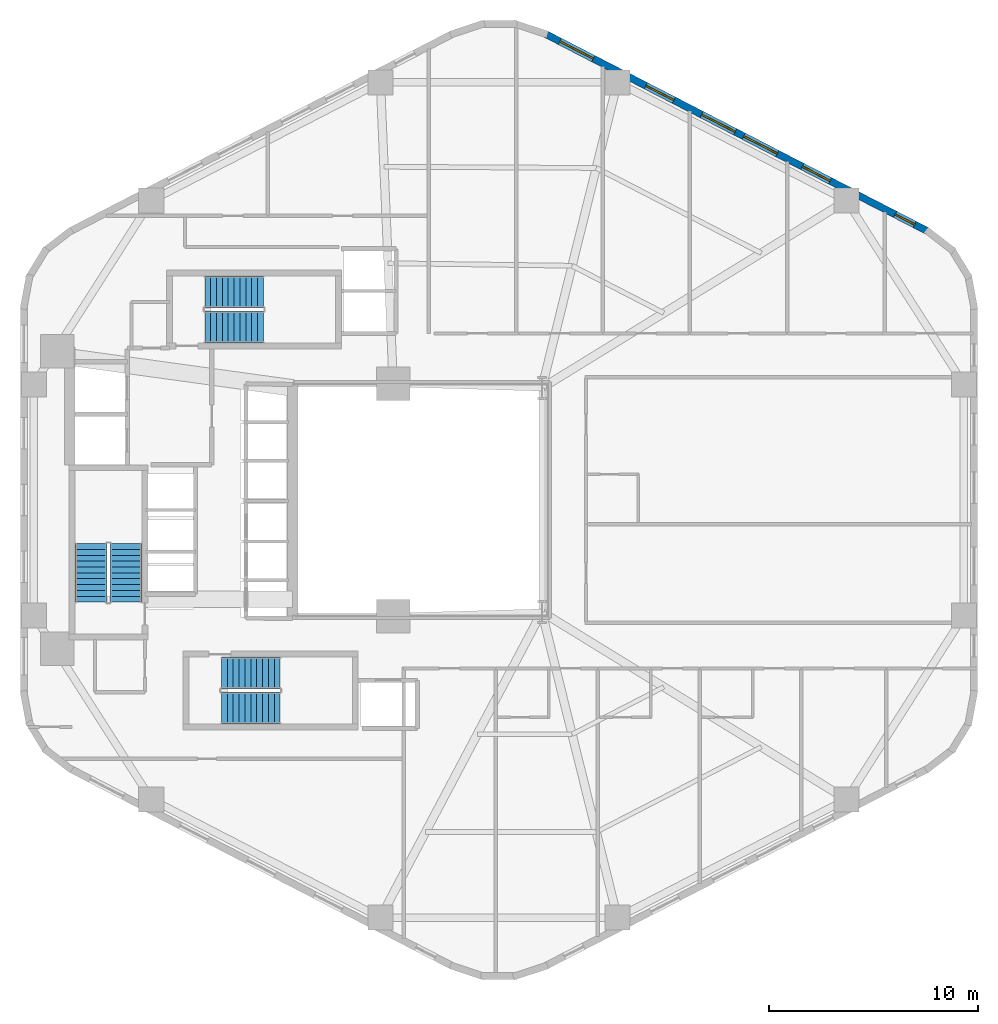
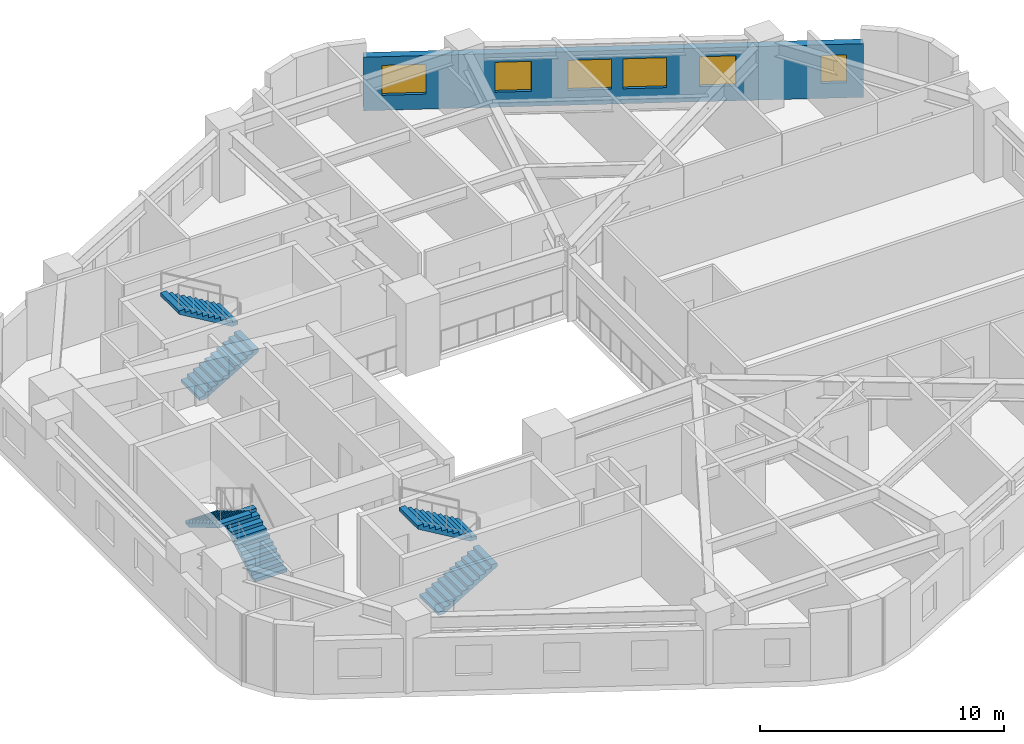
# One storey, part 6 of 7: 6 stair flights, 6 windows, 1 wall, 6 openings, 3 elements without a shape of their own.
"""IFC4 building model written with IfcOpenShell, lengths in metres."""

from ifc_helpers import new_model, si_unit, direction, frame, frame_2d, origin, place, context, subcontext, project, spatial, polyline, rectangle, outline, extrude, material, layer, layer_set, type_object, element, fill, aggregate, save


model = new_model("IFC4")

# Units and contexts
model_context = context("Model", 3, precision=1e-05, world=origin(), true_north=direction((0.0, 1.0)))
body_context = subcontext(model_context, "Body", "Model", "MODEL_VIEW")
ifc_project = project(units=[si_unit("LENGTHUNIT", "METRE"), si_unit("AREAUNIT", "SQUARE_METRE"), si_unit("VOLUMEUNIT", "CUBIC_METRE"), si_unit("PLANEANGLEUNIT", "RADIAN"), si_unit("MASSUNIT", "GRAM", prefix="KILO"), si_unit("THERMODYNAMICTEMPERATUREUNIT", "KELVIN"), si_unit("POWERUNIT", "WATT")], contexts=[model_context])

# Site, building, storey
site_placement = place(None, origin())
site = spatial("IfcSite", under=ifc_project, at=site_placement, CompositionType="ELEMENT")
building_placement = place(site_placement, origin())
building = spatial("IfcBuilding", under=site, at=building_placement, Name="Skarre Station Tower", CompositionType="ELEMENT")
storey_placement = place(building_placement, frame((0.0, 0.0, 74.449951171875)))
storey = spatial("IfcBuildingStorey", under=building, at=storey_placement, Name="L19", CompositionType="ELEMENT", Elevation=74.449951171875)

# Wall, openings, windows
ifc_material_1 = material(Name="Precast concrete C45/55", Category="concrete")
ifc_layer = layer(ifc_material_1, 0.340087890625, Name="Precast concrete C45/55")
ifc_layer_set = layer_set([ifc_layer], Name="Precast concrete C45/55")
wall_type = type_object("IfcWallType", Name="Nordic Honed Precast Facet Wall 340", PredefinedType="STANDARD", material=ifc_layer_set)
wall_placement = place(storey_placement, frame((39.631103515625, 46.257080078125, 0.0), z_axis=(0.0, 0.0, 1.0), x_axis=(0.888634413993, -0.458616264721, 0.0)))
wall = element("IfcWall", 1, at=wall_placement, inside=storey, type_object=wall_type, Name="L19 Facet 0 Nordic Precast Masonry Wall", PredefinedType="STANDARD", context=body_context, shape_type="SweptSolid", body=[
    extrude(rectangle(XDim=20.53125, YDim=0.340087890625, at=frame_2d((10.265625, 0.0))), origin(), (0.0, 0.0, 1.0), 2.68408203125),
])
opening_1_placement = place(wall_placement, frame((0.761962890625, 0.0, 0.75)))
opening_1 = element("IfcOpeningElement", 2, at=opening_1_placement, cuts=wall, Name="Opening WN-Z1A", PredefinedType="OPENING", context=body_context, shape_type="SweptSolid", body=[
    extrude(rectangle(XDim=1.800048828125, YDim=1.5, at=frame_2d((0.89990234375, 0.75))), frame((0.0, 0.179931640625, 0.0), z_axis=(0.0, -1.0, 0.0), x_axis=(1.0, 0.0, 0.0)), (0.0, 0.0, 1.0), 0.360107421875),
])
opening_2_placement = place(wall_placement, frame((5.389892578125, 0.0, 0.75)))
opening_2 = element("IfcOpeningElement", 3, at=opening_2_placement, cuts=wall, Name="Opening WN-Z1B", PredefinedType="OPENING", context=body_context, shape_type="SweptSolid", body=[
    extrude(rectangle(XDim=1.5, YDim=1.5, at=frame_2d((0.75, 0.75))), frame((0.0, 0.179931640625, 0.0), z_axis=(0.0, -1.0, 0.0), x_axis=(1.0, 0.0, 0.0)), (0.0, 0.0, 1.0), 0.360107421875),
])
opening_3_placement = place(wall_placement, frame((8.387939453125, 0.0, 0.75)))
opening_3 = element("IfcOpeningElement", 4, at=opening_3_placement, cuts=wall, Name="Opening WN-Z1A", PredefinedType="OPENING", context=body_context, shape_type="SweptSolid", body=[
    extrude(rectangle(XDim=1.800048828125, YDim=1.5, at=frame_2d((0.89990234375, 0.75))), frame((0.0, 0.179931640625, 0.0), z_axis=(0.0, -1.0, 0.0), x_axis=(1.0, 0.0, 0.0)), (0.0, 0.0, 1.0), 0.360107421875),
])
opening_4_placement = place(wall_placement, frame((10.64697265625, 0.0, 0.75)))
opening_4 = element("IfcOpeningElement", 5, at=opening_4_placement, cuts=wall, Name="Opening WN-Z1A", PredefinedType="OPENING", context=body_context, shape_type="SweptSolid", body=[
    extrude(rectangle(XDim=1.800048828125, YDim=1.5, at=frame_2d((0.89990234375, 0.75))), frame((0.0, 0.179931640625, 0.0), z_axis=(0.0, -1.0, 0.0), x_axis=(1.0, 0.0, 0.0)), (0.0, 0.0, 1.0), 0.360107421875),
])
opening_5_placement = place(wall_placement, frame((13.79296875, 0.0, 0.75)))
opening_5 = element("IfcOpeningElement", 6, at=opening_5_placement, cuts=wall, Name="Opening WN-Z1B", PredefinedType="OPENING", context=body_context, shape_type="SweptSolid", body=[
    extrude(rectangle(XDim=1.5, YDim=1.5, at=frame_2d((0.75, 0.75))), frame((0.0, 0.179931640625, 0.0), z_axis=(0.0, -1.0, 0.0), x_axis=(1.0, 0.0, 0.0)), (0.0, 0.0, 1.0), 0.360107421875),
])
opening_6_placement = place(wall_placement, frame((18.7880859375, 0.0, 0.75)))
opening_6 = element("IfcOpeningElement", 7, at=opening_6_placement, cuts=wall, Name="Opening WN-SLT", PredefinedType="OPENING", context=body_context, shape_type="SweptSolid", body=[
    extrude(rectangle(XDim=1.050048828125, YDim=1.39990234375, at=frame_2d((0.52490234375, 0.699951171875))), frame((0.0, 0.179931640625, 0.0), z_axis=(0.0, -1.0, 0.0), x_axis=(1.0, 0.0, 0.0)), (0.0, 0.0, 1.0), 0.360107421875),
])
ifc_material_2 = material(Name="Low-Iron Triple Glazing with Bronze Anodized Frame", Category="glass")
window_type_1 = type_object("IfcWindowType", Name="Nordic Corner Slot Window 1050x1400", PartitioningType="SINGLE_PANEL", PredefinedType="WINDOW", material=ifc_material_2)
window_1_placement = place(opening_6_placement, origin())
window_1 = element("IfcWindow", 8, at=window_1_placement, inside=storey, type_object=window_type_1, Name="L19 Facade Window WL-FAC-L19-F0-6", OverallHeight=1.39990234375, OverallWidth=1.050048828125, PartitioningType="SINGLE_PANEL", PredefinedType="WINDOW", context=body_context, shape_type="SweptSolid", body=[
    extrude(rectangle(XDim=1.050048828125, YDim=1.39990234375, at=frame_2d((0.52490234375, 0.699951171875))), frame((0.0, 0.030029296875, 0.0), z_axis=(0.0, -1.0, 0.0), x_axis=(1.0, 0.0, 0.0)), (0.0, 0.0, 1.0), 0.06005859375),
])
fill(opening_6, window_1)
window_type_2 = type_object("IfcWindowType", Name="Nordic Punched Triple-Glazed Window 1500x1500", PartitioningType="SINGLE_PANEL", PredefinedType="WINDOW", material=ifc_material_2)
window_2_placement = place(opening_2_placement, origin())
window_2 = element("IfcWindow", 9, at=window_2_placement, inside=storey, type_object=window_type_2, Name="L19 Facade Window WL-FAC-L19-F0-2", OverallHeight=1.5, OverallWidth=1.5, PartitioningType="SINGLE_PANEL", PredefinedType="WINDOW", context=body_context, shape_type="SweptSolid", body=[
    extrude(rectangle(XDim=1.5, YDim=1.5, at=frame_2d((0.75, 0.75))), frame((0.0, 0.030029296875, 0.0), z_axis=(0.0, -1.0, 0.0), x_axis=(1.0, 0.0, 0.0)), (0.0, 0.0, 1.0), 0.06005859375),
])
fill(opening_2, window_2)
window_3_placement = place(opening_5_placement, origin())
window_3 = element("IfcWindow", 10, at=window_3_placement, inside=storey, type_object=window_type_2, Name="L19 Facade Window WL-FAC-L19-F0-5", OverallHeight=1.5, OverallWidth=1.5, PartitioningType="SINGLE_PANEL", PredefinedType="WINDOW", context=body_context, shape_type="SweptSolid", body=[
    extrude(rectangle(XDim=1.5, YDim=1.5, at=frame_2d((0.75, 0.75))), frame((0.0, 0.030029296875, 0.0), z_axis=(0.0, -1.0, 0.0), x_axis=(1.0, 0.0, 0.0)), (0.0, 0.0, 1.0), 0.06005859375),
])
fill(opening_5, window_3)
window_type_3 = type_object("IfcWindowType", Name="Nordic Punched Triple-Glazed Window 1800x1500", PartitioningType="SINGLE_PANEL", PredefinedType="WINDOW", material=ifc_material_2)
window_4_placement = place(opening_1_placement, origin())
window_4 = element("IfcWindow", 11, at=window_4_placement, inside=storey, type_object=window_type_3, Name="L19 Facade Window WL-FAC-L19-F0-1", OverallHeight=1.5, OverallWidth=1.800048828125, PartitioningType="SINGLE_PANEL", PredefinedType="WINDOW", context=body_context, shape_type="SweptSolid", body=[
    extrude(rectangle(XDim=1.800048828125, YDim=1.5, at=frame_2d((0.89990234375, 0.75))), frame((0.0, 0.030029296875, 0.0), z_axis=(0.0, -1.0, 0.0), x_axis=(1.0, 0.0, 0.0)), (0.0, 0.0, 1.0), 0.06005859375),
])
fill(opening_1, window_4)
window_5_placement = place(opening_3_placement, origin())
window_5 = element("IfcWindow", 12, at=window_5_placement, inside=storey, type_object=window_type_3, Name="L19 Facade Window WL-FAC-L19-F0-3", OverallHeight=1.5, OverallWidth=1.800048828125, PartitioningType="SINGLE_PANEL", PredefinedType="WINDOW", context=body_context, shape_type="SweptSolid", body=[
    extrude(rectangle(XDim=1.800048828125, YDim=1.5, at=frame_2d((0.89990234375, 0.75))), frame((0.0, 0.030029296875, 0.0), z_axis=(0.0, -1.0, 0.0), x_axis=(1.0, 0.0, 0.0)), (0.0, 0.0, 1.0), 0.06005859375),
])
fill(opening_3, window_5)
window_6_placement = place(opening_4_placement, origin())
window_6 = element("IfcWindow", 13, at=window_6_placement, inside=storey, type_object=window_type_3, Name="L19 Facade Window WL-FAC-L19-F0-4", OverallHeight=1.5, OverallWidth=1.800048828125, PartitioningType="SINGLE_PANEL", PredefinedType="WINDOW", context=body_context, shape_type="SweptSolid", body=[
    extrude(rectangle(XDim=1.800048828125, YDim=1.5, at=frame_2d((0.89990234375, 0.75))), frame((0.0, 0.030029296875, 0.0), z_axis=(0.0, -1.0, 0.0), x_axis=(1.0, 0.0, 0.0)), (0.0, 0.0, 1.0), 0.06005859375),
])
fill(opening_4, window_6)

# Stair, stair flights
ifc_material_3 = material(Name="Concrete C40/50", Category="concrete")
stair_type_1 = type_object("IfcStairType", Name="Reinforced Concrete Exit Stair ST-1", PredefinedType="HALF_TURN_STAIR", material=ifc_material_3)
stair_1_placement = place(storey_placement, origin())
stair_1 = element("IfcStair", 14, at=stair_1_placement, inside=storey, type_object=stair_type_1, Name="L19 Core Exit Stair ST-1", PredefinedType="HALF_TURN_STAIR")
stair_flight_type_1 = type_object("IfcStairFlightType", Name="Reinforced Concrete Stair Flight ST-1", PredefinedType="STRAIGHT", material=ifc_material_3)
stair_flight_1_placement = place(storey_placement, frame((19.590087890625, 19.1201171875, 0.0), z_axis=(0.0, 0.0, 1.0), x_axis=(0.0, 1.0, 0.0)))
stair_flight_1 = element("IfcStairFlight", 15, at=stair_flight_1_placement, type_object=stair_flight_type_1, Name="ST-1 flight 1", NumberOfRisers=11, NumberOfTreads=10, PredefinedType="STRAIGHT", RiserHeight=0.165909091, TreadLength=0.28, context=body_context, shape_type="SweptSolid", body=[
    extrude(outline(polyline([(0.0, 0.0), (0.0, 0.166015625), (0.280029296875, 0.166015625), (0.280029296875, 0.331787109375), (0.56005859375, 0.331787109375), (0.56005859375, 0.497802734375), (0.840087890625, 0.497802734375), (0.840087890625, 0.66357421875), (1.1201171875, 0.66357421875), (1.1201171875, 0.82958984375), (1.39990234375, 0.82958984375), (1.39990234375, 0.995361328125), (1.679931640625, 0.995361328125), (1.679931640625, 1.161376953125), (1.9599609375, 1.161376953125), (1.9599609375, 1.327392578125), (2.239990234375, 1.327392578125), (2.239990234375, 1.4931640625), (2.52001953125, 1.4931640625), (2.52001953125, 1.6591796875), (2.800048828125, 1.6591796875), (2.800048828125, 1.824951171875), (2.800048828125, 1.48486328125), (0.2939453125, 0.0), (0.0, 0.0)])), frame((0.0, 0.760009765625, 0.0), z_axis=(0.0, -1.0, 0.0), x_axis=(1.0, 0.0, 0.0)), (0.0, 0.0, 1.0), 1.52001953125),
])
stair_flight_2_placement = place(storey_placement, frame((17.909912109375, 21.919921875, 1.824951171875), z_axis=(0.0, 0.0, 1.0), x_axis=(0.0, -1.0, 0.0)))
stair_flight_2 = element("IfcStairFlight", 16, at=stair_flight_2_placement, type_object=stair_flight_type_1, Name="ST-1 flight 2", NumberOfRisers=11, NumberOfTreads=10, PredefinedType="STRAIGHT", RiserHeight=0.165909091, TreadLength=0.28, context=body_context, shape_type="SweptSolid", body=[
    extrude(outline(polyline([(0.0, 0.0), (0.0, 0.166015625), (0.280029296875, 0.166015625), (0.280029296875, 0.331787109375), (0.56005859375, 0.331787109375), (0.56005859375, 0.497802734375), (0.840087890625, 0.497802734375), (0.840087890625, 0.66357421875), (1.1201171875, 0.66357421875), (1.1201171875, 0.82958984375), (1.39990234375, 0.82958984375), (1.39990234375, 0.995361328125), (1.679931640625, 0.995361328125), (1.679931640625, 1.161376953125), (1.9599609375, 1.161376953125), (1.9599609375, 1.327392578125), (2.239990234375, 1.327392578125), (2.239990234375, 1.4931640625), (2.52001953125, 1.4931640625), (2.52001953125, 1.6591796875), (2.800048828125, 1.6591796875), (2.800048828125, 1.824951171875), (2.800048828125, 1.48486328125), (0.2939453125, 0.0), (0.0, 0.0)])), frame((0.0, 0.760009765625, 0.0), z_axis=(0.0, -1.0, 0.0), x_axis=(1.0, 0.0, 0.0)), (0.0, 0.0, 1.0), 1.52001953125),
])
aggregate(stair_1, [stair_flight_1, stair_flight_2])

stair_type_2 = type_object("IfcStairType", Name="Reinforced Concrete Exit Stair ST-2", PredefinedType="HALF_TURN_STAIR", material=ifc_material_3)
stair_2_placement = place(storey_placement, origin())
stair_2 = element("IfcStair", 17, at=stair_2_placement, inside=storey, type_object=stair_type_2, Name="L19 Core Exit Stair ST-2", PredefinedType="HALF_TURN_STAIR")
stair_flight_type_2 = type_object("IfcStairFlightType", Name="Reinforced Concrete Stair Flight ST-2", PredefinedType="STRAIGHT", material=ifc_material_3)
stair_flight_3_placement = place(storey_placement, frame((24.14990234375, 14.06005859375, 0.0), z_axis=(0.0, 0.0, 1.0), x_axis=(1.0, 0.0, 0.0)))
stair_flight_3 = element("IfcStairFlight", 18, at=stair_flight_3_placement, type_object=stair_flight_type_2, Name="ST-2 flight 1", NumberOfRisers=11, NumberOfTreads=10, PredefinedType="STRAIGHT", RiserHeight=0.165909091, TreadLength=0.28, context=body_context, shape_type="SweptSolid", body=[
    extrude(outline(polyline([(0.0, 0.0), (0.0, 0.166015625), (0.280029296875, 0.166015625), (0.280029296875, 0.331787109375), (0.56005859375, 0.331787109375), (0.56005859375, 0.497802734375), (0.840087890625, 0.497802734375), (0.840087890625, 0.66357421875), (1.1201171875, 0.66357421875), (1.1201171875, 0.82958984375), (1.39990234375, 0.82958984375), (1.39990234375, 0.995361328125), (1.679931640625, 0.995361328125), (1.679931640625, 1.161376953125), (1.9599609375, 1.161376953125), (1.9599609375, 1.327392578125), (2.239990234375, 1.327392578125), (2.239990234375, 1.4931640625), (2.52001953125, 1.4931640625), (2.52001953125, 1.6591796875), (2.800048828125, 1.6591796875), (2.800048828125, 1.824951171875), (2.800048828125, 1.48486328125), (0.2939453125, 0.0), (0.0, 0.0)])), frame((0.0, 0.760009765625, 0.0), z_axis=(0.0, -1.0, 0.0), x_axis=(1.0, 0.0, 0.0)), (0.0, 0.0, 1.0), 1.52001953125),
])
stair_flight_4_placement = place(storey_placement, frame((26.949951171875, 15.739990234375, 1.824951171875), z_axis=(0.0, 0.0, 1.0), x_axis=(-1.0, 0.0, 0.0)))
stair_flight_4 = element("IfcStairFlight", 19, at=stair_flight_4_placement, type_object=stair_flight_type_2, Name="ST-2 flight 2", NumberOfRisers=11, NumberOfTreads=10, PredefinedType="STRAIGHT", RiserHeight=0.165909091, TreadLength=0.28, context=body_context, shape_type="SweptSolid", body=[
    extrude(outline(polyline([(0.0, 0.0), (0.0, 0.166015625), (0.280029296875, 0.166015625), (0.280029296875, 0.331787109375), (0.56005859375, 0.331787109375), (0.56005859375, 0.497802734375), (0.840087890625, 0.497802734375), (0.840087890625, 0.66357421875), (1.1201171875, 0.66357421875), (1.1201171875, 0.82958984375), (1.39990234375, 0.82958984375), (1.39990234375, 0.995361328125), (1.679931640625, 0.995361328125), (1.679931640625, 1.161376953125), (1.9599609375, 1.161376953125), (1.9599609375, 1.327392578125), (2.239990234375, 1.327392578125), (2.239990234375, 1.4931640625), (2.52001953125, 1.4931640625), (2.52001953125, 1.6591796875), (2.800048828125, 1.6591796875), (2.800048828125, 1.824951171875), (2.800048828125, 1.48486328125), (0.2939453125, 0.0), (0.0, 0.0)])), frame((0.0, 0.760009765625, 0.0), z_axis=(0.0, -1.0, 0.0), x_axis=(1.0, 0.0, 0.0)), (0.0, 0.0, 1.0), 1.52001953125),
])
aggregate(stair_2, [stair_flight_3, stair_flight_4])

stair_type_3 = type_object("IfcStairType", Name="Reinforced Concrete Exit Stair ST-3", PredefinedType="HALF_TURN_STAIR", material=ifc_material_3)
stair_3_placement = place(storey_placement, origin())
stair_3 = element("IfcStair", 20, at=stair_3_placement, inside=storey, type_object=stair_type_3, Name="L19 Core Exit Stair ST-3", PredefinedType="HALF_TURN_STAIR")
stair_flight_type_3 = type_object("IfcStairFlightType", Name="Reinforced Concrete Stair Flight ST-3", PredefinedType="STRAIGHT", material=ifc_material_3)
stair_flight_5_placement = place(storey_placement, frame((23.35009765625, 32.260009765625, 0.0), z_axis=(0.0, 0.0, 1.0), x_axis=(1.0, 0.0, 0.0)))
stair_flight_5 = element("IfcStairFlight", 21, at=stair_flight_5_placement, type_object=stair_flight_type_3, Name="ST-3 flight 1", NumberOfRisers=11, NumberOfTreads=10, PredefinedType="STRAIGHT", RiserHeight=0.165909091, TreadLength=0.28, context=body_context, shape_type="SweptSolid", body=[
    extrude(outline(polyline([(0.0, 0.0), (0.0, 0.166015625), (0.280029296875, 0.166015625), (0.280029296875, 0.331787109375), (0.56005859375, 0.331787109375), (0.56005859375, 0.497802734375), (0.840087890625, 0.497802734375), (0.840087890625, 0.66357421875), (1.1201171875, 0.66357421875), (1.1201171875, 0.82958984375), (1.39990234375, 0.82958984375), (1.39990234375, 0.995361328125), (1.679931640625, 0.995361328125), (1.679931640625, 1.161376953125), (1.9599609375, 1.161376953125), (1.9599609375, 1.327392578125), (2.239990234375, 1.327392578125), (2.239990234375, 1.4931640625), (2.52001953125, 1.4931640625), (2.52001953125, 1.6591796875), (2.800048828125, 1.6591796875), (2.800048828125, 1.824951171875), (2.800048828125, 1.48486328125), (0.2939453125, 0.0), (0.0, 0.0)])), frame((0.0, 0.760009765625, 0.0), z_axis=(0.0, -1.0, 0.0), x_axis=(1.0, 0.0, 0.0)), (0.0, 0.0, 1.0), 1.52001953125),
])
stair_flight_6_placement = place(storey_placement, frame((26.14990234375, 33.93994140625, 1.824951171875), z_axis=(0.0, 0.0, 1.0), x_axis=(-1.0, 0.0, 0.0)))
stair_flight_6 = element("IfcStairFlight", 22, at=stair_flight_6_placement, type_object=stair_flight_type_3, Name="ST-3 flight 2", NumberOfRisers=11, NumberOfTreads=10, PredefinedType="STRAIGHT", RiserHeight=0.165909091, TreadLength=0.28, context=body_context, shape_type="SweptSolid", body=[
    extrude(outline(polyline([(0.0, 0.0), (0.0, 0.166015625), (0.280029296875, 0.166015625), (0.280029296875, 0.331787109375), (0.56005859375, 0.331787109375), (0.56005859375, 0.497802734375), (0.840087890625, 0.497802734375), (0.840087890625, 0.66357421875), (1.1201171875, 0.66357421875), (1.1201171875, 0.82958984375), (1.39990234375, 0.82958984375), (1.39990234375, 0.995361328125), (1.679931640625, 0.995361328125), (1.679931640625, 1.161376953125), (1.9599609375, 1.161376953125), (1.9599609375, 1.327392578125), (2.239990234375, 1.327392578125), (2.239990234375, 1.4931640625), (2.52001953125, 1.4931640625), (2.52001953125, 1.6591796875), (2.800048828125, 1.6591796875), (2.800048828125, 1.824951171875), (2.800048828125, 1.48486328125), (0.2939453125, 0.0), (0.0, 0.0)])), frame((0.0, 0.760009765625, 0.0), z_axis=(0.0, -1.0, 0.0), x_axis=(1.0, 0.0, 0.0)), (0.0, 0.0, 1.0), 1.52001953125),
])
aggregate(stair_3, [stair_flight_5, stair_flight_6])

save(model, "model.ifc")
